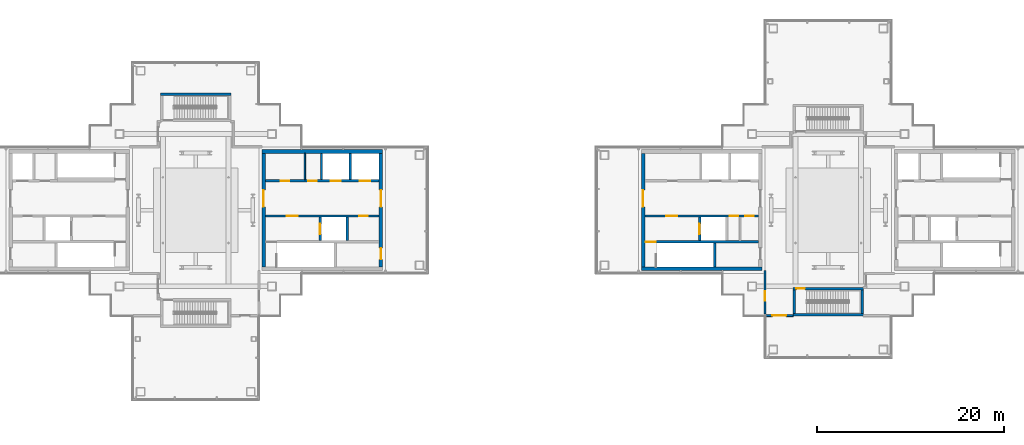
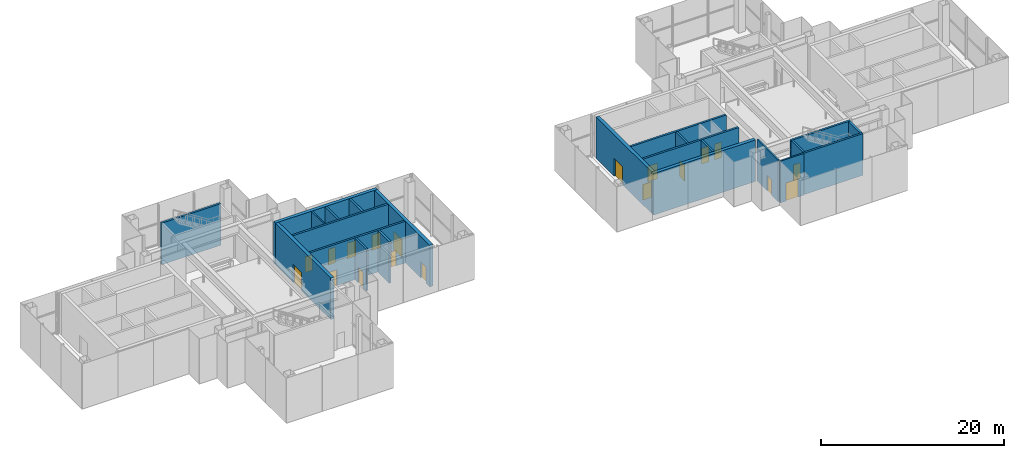
# One storey, part 10 of 17: 23 walls, 19 doors, 19 openings.
"""IFC4 building model written with IfcOpenShell, lengths in metres."""

from ifc_helpers import new_model, si_unit, direction, frame, frame_2d, origin, place, context, subcontext, project, spatial, rectangle, extrude, material, layer, layer_set, type_object, element, fill, save


model = new_model("IFC4")

# Units and contexts
model_context = context("Model", 3, precision=1e-05, world=origin(), true_north=direction((0.0, 1.0)))
body_context = subcontext(model_context, "Body", "Model", "MODEL_VIEW")
ifc_project = project(units=[si_unit("LENGTHUNIT", "METRE"), si_unit("AREAUNIT", "SQUARE_METRE"), si_unit("VOLUMEUNIT", "CUBIC_METRE"), si_unit("PLANEANGLEUNIT", "RADIAN"), si_unit("MASSUNIT", "GRAM", prefix="KILO")], contexts=[model_context])

# Site, building, storey
site_placement = place(None, origin())
site = spatial("IfcSite", under=ifc_project, at=site_placement, CompositionType="ELEMENT")
building_placement = place(site_placement, origin())
building = spatial("IfcBuilding", under=site, at=building_placement, Name="Shamsa Quay Exchange Towers", CompositionType="ELEMENT")
storey_placement = place(building_placement, frame((0.0, 0.0, 278.300048828125)))
storey = spatial("IfcBuildingStorey", under=building, at=storey_placement, Name="L67", CompositionType="ELEMENT", Elevation=278.300048828125)

# Wall
ifc_material_1 = material(Name="Concrete C60/75", Category="concrete")
ifc_layer_1 = layer(ifc_material_1, 0.39990234375)
ifc_layer_set_1 = layer_set([ifc_layer_1], Name="CORE WALL 400 C60/75")
wall_type_1 = type_object("IfcWallType", Name="CORE WALL 400 C60/75", PredefinedType="SHEAR", material=ifc_layer_set_1)
wall_1_placement = place(storey_placement, frame((-26.699951171875, 6.25, 0.0)))
element("IfcWall", 1, at=wall_1_placement, inside=storey, type_object=wall_type_1, Name="Core wall T1A-L67-PN", PredefinedType="SHEAR", context=body_context, shape_type="SweptSolid", body=[
    extrude(rectangle(XDim=12.89990234375, YDim=0.39990234375, at=frame_2d((6.449951171875, 0.0))), origin(), (0.0, 0.0, 1.0), 5.550048828125),
])

# Wall, opening, door
wall_2_placement = place(storey_placement, frame((-26.5, 6.050048828125, 0.0), z_axis=(0.0, 0.0, 1.0), x_axis=(0.0, -1.0, 0.0)))
wall_2 = element("IfcWall", 2, at=wall_2_placement, inside=storey, type_object=wall_type_1, Name="Core wall T1A-L67-PF", PredefinedType="SHEAR", context=body_context, shape_type="SweptSolid", body=[
    extrude(rectangle(XDim=12.10009765625, YDim=0.39990234375, at=frame_2d((6.050048828125, 0.0))), origin(), (0.0, 0.0, 1.0), 5.550048828125),
])
opening_1_placement = place(wall_2_placement, frame((3.89990234375, 0.0, 0.0)))
opening_1 = element("IfcOpeningElement", 3, at=opening_1_placement, cuts=wall_2, Name="Opening T1A-L67-LBD01", PredefinedType="OPENING", context=body_context, shape_type="SweptSolid", body=[
    extrude(rectangle(XDim=1.800048828125, YDim=2.39990234375, at=frame_2d((0.89990234375, 1.199951171875))), frame((0.0, 0.2099609375, 0.0), z_axis=(0.0, -1.0, 0.0), x_axis=(1.0, 0.0, 0.0)), (0.0, 0.0, 1.0), 0.419921875),
])
ifc_material_2 = material(Name="Steel, fire rated", Category="steel")
door_type_1 = type_object("IfcDoorType", Name="LIFT LOBBY DOOR PAIR 1800", OperationType="DOUBLE_DOOR_SINGLE_SWING", PredefinedType="DOOR", material=ifc_material_2)
door_1_placement = place(opening_1_placement, origin())
door_1 = element("IfcDoor", 4, at=door_1_placement, inside=storey, type_object=door_type_1, Name="T1A-L67-LBD01", OperationType="DOUBLE_DOOR_SINGLE_SWING", OverallHeight=2.39990234375, OverallWidth=1.800048828125, PredefinedType="DOOR", context=body_context, shape_type="SweptSolid", body=[
    extrude(rectangle(XDim=1.800048828125, YDim=2.39990234375, at=frame_2d((0.89990234375, 1.199951171875))), frame((0.0, 0.02490234375, 0.0), z_axis=(0.0, -1.0, 0.0), x_axis=(1.0, 0.0, 0.0)), (0.0, 0.0, 1.0), 0.050048828125),
])
fill(opening_1, door_1)

# Wall, openings, doors
wall_3_placement = place(storey_placement, frame((-14.0, 6.050048828125, 0.0), z_axis=(0.0, 0.0, 1.0), x_axis=(0.0, -1.0, 0.0)))
wall_3 = element("IfcWall", 5, at=wall_3_placement, inside=storey, type_object=wall_type_1, Name="Core wall T1A-L67-PB", PredefinedType="SHEAR", context=body_context, shape_type="SweptSolid", body=[
    extrude(rectangle(XDim=12.10009765625, YDim=0.39990234375, at=frame_2d((6.050048828125, 0.0))), origin(), (0.0, 0.0, 1.0), 5.550048828125),
])
opening_2_placement = place(wall_3_placement, frame((10.10009765625, 0.0, 0.0)))
opening_2 = element("IfcOpeningElement", 6, at=opening_2_placement, cuts=wall_3, Name="Opening T1A-L67-RD02", PredefinedType="OPENING", context=body_context, shape_type="SweptSolid", body=[
    extrude(rectangle(XDim=1.199951171875, YDim=2.10009765625, at=frame_2d((0.60009765625, 1.050048828125))), frame((0.0, 0.2099609375, 0.0), z_axis=(0.0, -1.0, 0.0), x_axis=(1.0, 0.0, 0.0)), (0.0, 0.0, 1.0), 0.419921875),
])
opening_3_placement = place(wall_3_placement, frame((3.89990234375, 0.0, 0.0)))
opening_3 = element("IfcOpeningElement", 7, at=opening_3_placement, cuts=wall_3, Name="Opening T1A-L67-LBD03", PredefinedType="OPENING", context=body_context, shape_type="SweptSolid", body=[
    extrude(rectangle(XDim=1.800048828125, YDim=2.39990234375, at=frame_2d((0.89990234375, 1.199951171875))), frame((0.0, 0.2099609375, 0.0), z_axis=(0.0, -1.0, 0.0), x_axis=(1.0, 0.0, 0.0)), (0.0, 0.0, 1.0), 0.419921875),
])
door_2_placement = place(opening_3_placement, origin())
door_2 = element("IfcDoor", 8, at=door_2_placement, inside=storey, type_object=door_type_1, Name="T1A-L67-LBD03", OperationType="DOUBLE_DOOR_SINGLE_SWING", OverallHeight=2.39990234375, OverallWidth=1.800048828125, PredefinedType="DOOR", context=body_context, shape_type="SweptSolid", body=[
    extrude(rectangle(XDim=1.800048828125, YDim=2.39990234375, at=frame_2d((0.89990234375, 1.199951171875))), frame((0.0, 0.02490234375, 0.0), z_axis=(0.0, -1.0, 0.0), x_axis=(1.0, 0.0, 0.0)), (0.0, 0.0, 1.0), 0.050048828125),
])
fill(opening_3, door_2)
door_type_2 = type_object("IfcDoorType", Name="RISER ACCESS DOOR 1200", OperationType="SINGLE_SWING_LEFT", PredefinedType="DOOR", material=ifc_material_2)
door_3_placement = place(opening_2_placement, origin())
door_3 = element("IfcDoor", 9, at=door_3_placement, inside=storey, type_object=door_type_2, Name="T1A-L67-RD02", OperationType="SINGLE_SWING_RIGHT", OverallHeight=2.10009765625, OverallWidth=1.199951171875, PredefinedType="DOOR", context=body_context, shape_type="SweptSolid", body=[
    extrude(rectangle(XDim=1.199951171875, YDim=2.10009765625, at=frame_2d((0.60009765625, 1.050048828125))), frame((0.0, 0.02490234375, 0.0), z_axis=(0.0, -1.0, 0.0), x_axis=(1.0, 0.0, 0.0)), (0.0, 0.0, 1.0), 0.050048828125),
])
fill(opening_2, door_3)

# Wall
wall_4_placement = place(storey_placement, frame((13.800048828125, -6.25, 0.0)))
element("IfcWall", 10, at=wall_4_placement, inside=storey, type_object=wall_type_1, Name="Core wall T2A-L67-PS", PredefinedType="SHEAR", context=body_context, shape_type="SweptSolid", body=[
    extrude(rectangle(XDim=12.89990234375, YDim=0.39990234375, at=frame_2d((6.449951171875, 0.0))), origin(), (0.0, 0.0, 1.0), 5.550048828125),
])

# Wall, opening, door
wall_5_placement = place(storey_placement, frame((14.0, 6.050048828125, 0.0), z_axis=(0.0, 0.0, 1.0), x_axis=(0.0, -1.0, 0.0)))
wall_5 = element("IfcWall", 11, at=wall_5_placement, inside=storey, type_object=wall_type_1, Name="Core wall T2A-L67-PF", PredefinedType="SHEAR", context=body_context, shape_type="SweptSolid", body=[
    extrude(rectangle(XDim=12.10009765625, YDim=0.39990234375, at=frame_2d((6.050048828125, 0.0))), origin(), (0.0, 0.0, 1.0), 5.550048828125),
])
opening_4_placement = place(wall_5_placement, frame((3.89990234375, 0.0, 0.0)))
opening_4 = element("IfcOpeningElement", 12, at=opening_4_placement, cuts=wall_5, Name="Opening T2A-L67-LBD01", PredefinedType="OPENING", context=body_context, shape_type="SweptSolid", body=[
    extrude(rectangle(XDim=1.800048828125, YDim=2.39990234375, at=frame_2d((0.89990234375, 1.199951171875))), frame((0.0, 0.2099609375, 0.0), z_axis=(0.0, -1.0, 0.0), x_axis=(1.0, 0.0, 0.0)), (0.0, 0.0, 1.0), 0.419921875),
])
door_4_placement = place(opening_4_placement, origin())
door_4 = element("IfcDoor", 13, at=door_4_placement, inside=storey, type_object=door_type_1, Name="T2A-L67-LBD01", OperationType="DOUBLE_DOOR_SINGLE_SWING", OverallHeight=2.39990234375, OverallWidth=1.800048828125, PredefinedType="DOOR", context=body_context, shape_type="SweptSolid", body=[
    extrude(rectangle(XDim=1.800048828125, YDim=2.39990234375, at=frame_2d((0.89990234375, 1.199951171875))), frame((0.0, 0.02490234375, 0.0), z_axis=(0.0, -1.0, 0.0), x_axis=(1.0, 0.0, 0.0)), (0.0, 0.0, 1.0), 0.050048828125),
])
fill(opening_4, door_4)

# Wall
ifc_material_3 = material(Name="Gypsum board on steel studs, EI 60", Category="steel")
ifc_layer_2 = layer(ifc_material_3, 0.14990234375)
ifc_layer_set_2 = layer_set([ifc_layer_2], Name="FIRE PARTITION 150")
wall_type_2 = type_object("IfcWallType", Name="FIRE PARTITION 150", PredefinedType="PARTITIONING", material=ifc_layer_set_2)
wall_6_placement = place(storey_placement, frame((-22.10009765625, 3.25, 0.0), z_axis=(0.0, 0.0, 1.0), x_axis=(0.0, 1.0, 0.0)))
element("IfcWall", 14, at=wall_6_placement, inside=storey, type_object=wall_type_2, Name="Partition T1A-L67-FC0", PredefinedType="PARTITIONING", context=body_context, shape_type="SweptSolid", body=[
    extrude(rectangle(XDim=2.800048828125, YDim=0.14990234375, at=frame_2d((1.39990234375, 0.0))), origin(), (0.0, 0.0, 1.0), 5.550048828125),
])

# Wall, opening, door
ifc_material_4 = material(Name="Gypsum board partition on metal studs")
ifc_layer_3 = layer(ifc_material_4, 0.199951171875)
ifc_layer_set_3 = layer_set([ifc_layer_3], Name="Partition 200 mm EI 120")
wall_type_3 = type_object("IfcWallType", Name="Partition 200 mm EI 120", PredefinedType="PARTITIONING", material=ifc_layer_set_3)
wall_7_placement = place(storey_placement, frame((30.0, -11.25, 0.0), z_axis=(0.0, 0.0, 1.0), x_axis=(-1.0, 0.0, 0.0)))
wall_7 = element("IfcWall", 15, at=wall_7_placement, inside=storey, type_object=wall_type_3, Name="Partition T2-L67-W10", PredefinedType="PARTITIONING", context=body_context, shape_type="SweptSolid", body=[
    extrude(rectangle(XDim=3.0048828125, YDim=0.199951171875, at=frame_2d((1.50244140625, 0.0))), origin(), (0.0, 0.0, 1.0), 5.550048828125),
])
opening_5_placement = place(wall_7_placement, frame((0.75, 0.0, 0.0)))
opening_5 = element("IfcOpeningElement", 16, at=opening_5_placement, cuts=wall_7, Name="Opening T2-L67-D03", PredefinedType="OPENING", context=body_context, shape_type="SweptSolid", body=[
    extrude(rectangle(XDim=1.5, YDim=2.39990234375, at=frame_2d((0.75, 1.199951171875))), frame((0.0, 0.10986328125, 0.0), z_axis=(0.0, -1.0, 0.0), x_axis=(1.0, 0.0, 0.0)), (0.0, 0.0, 1.0), 0.219970703125),
])
ifc_material_5 = material(Name="Timber door leaf in a metal frame", Category="wood")
door_type_3 = type_object("IfcDoorType", Name="Door 1500x2400 FD60 pair", OperationType="NOTDEFINED", PredefinedType="DOOR", material=ifc_material_5)
door_5_placement = place(opening_5_placement, origin())
door_5 = element("IfcDoor", 17, at=door_5_placement, inside=storey, type_object=door_type_3, Name="Door T2-L67-D03", OperationType="DOUBLE_DOOR_SINGLE_SWING", OverallHeight=2.39990234375, OverallWidth=1.5, PredefinedType="DOOR", context=body_context, shape_type="SweptSolid", body=[
    extrude(rectangle(XDim=1.5, YDim=2.39990234375, at=frame_2d((0.75, 1.199951171875))), frame((0.0, 0.02490234375, 0.0), z_axis=(0.0, -1.0, 0.0), x_axis=(1.0, 0.0, 0.0)), (0.0, 0.0, 1.0), 0.050048828125),
])
fill(opening_5, door_5)

wall_8_placement = place(storey_placement, frame((27.0, -11.054931640625, 0.0), z_axis=(0.0, 0.0, 1.0), x_axis=(0.0, 1.0, 0.0)))
wall_8 = element("IfcWall", 18, at=wall_8_placement, inside=storey, type_object=wall_type_3, Name="Partition T2-L67-W11", PredefinedType="PARTITIONING", context=body_context, shape_type="SweptSolid", body=[
    extrude(rectangle(XDim=4.60498046875, YDim=0.199951171875, at=frame_2d((2.302490234375, 0.0))), origin(), (0.0, 0.0, 1.0), 5.550048828125),
])
opening_6_placement = place(wall_8_placement, frame((1.405029296875, 0.0, 0.0)))
opening_6 = element("IfcOpeningElement", 19, at=opening_6_placement, cuts=wall_8, Name="Opening T2-L67-D04", PredefinedType="OPENING", context=body_context, shape_type="SweptSolid", body=[
    extrude(rectangle(XDim=1.0, YDim=2.10009765625, at=frame_2d((0.5, 1.050048828125))), frame((0.0, 0.10986328125, 0.0), z_axis=(0.0, -1.0, 0.0), x_axis=(1.0, 0.0, 0.0)), (0.0, 0.0, 1.0), 0.219970703125),
])
door_type_4 = type_object("IfcDoorType", Name="Door 1000x2100 FD60", OperationType="NOTDEFINED", PredefinedType="DOOR", material=ifc_material_5)
door_6_placement = place(opening_6_placement, origin())
door_6 = element("IfcDoor", 20, at=door_6_placement, inside=storey, type_object=door_type_4, Name="Door T2-L67-D04", OperationType="SINGLE_SWING_RIGHT", OverallHeight=2.10009765625, OverallWidth=1.0, PredefinedType="DOOR", context=body_context, shape_type="SweptSolid", body=[
    extrude(rectangle(XDim=1.0, YDim=2.10009765625, at=frame_2d((0.5, 1.050048828125))), frame((0.0, 0.02490234375, 0.0), z_axis=(0.0, -1.0, 0.0), x_axis=(1.0, 0.0, 0.0)), (0.0, 0.0, 1.0), 0.050048828125),
])
fill(opening_6, door_6)

# Wall, openings, doors
ifc_material_6 = material(Name="Concrete C50/60", Category="concrete")
ifc_layer_4 = layer(ifc_material_6, 0.25)
ifc_layer_set_4 = layer_set([ifc_layer_4], Name="SHAFT WALL 250 C50/60")
wall_type_4 = type_object("IfcWallType", Name="SHAFT WALL 250 C50/60", PredefinedType="SHEAR", material=ifc_layer_set_4)
wall_9_placement = place(storey_placement, frame((-14.199951171875, -0.625, 0.0), z_axis=(0.0, 0.0, 1.0), x_axis=(-1.0, 0.0, 0.0)))
wall_9 = element("IfcWall", 21, at=wall_9_placement, inside=storey, type_object=wall_type_4, Name="Shaft wall T1A-L67-B", PredefinedType="SHEAR", context=body_context, shape_type="SweptSolid", body=[
    extrude(rectangle(XDim=12.10009765625, YDim=0.25, at=frame_2d((6.050048828125, 0.0))), origin(), (0.0, 0.0, 1.0), 5.550048828125),
])
opening_7_placement = place(wall_9_placement, frame((8.64990234375, 0.0, 0.0)))
opening_7 = element("IfcOpeningElement", 22, at=opening_7_placement, cuts=wall_9, Name="Opening T1A-L67-FD05", PredefinedType="OPENING", context=body_context, shape_type="SweptSolid", body=[
    extrude(rectangle(XDim=1.199951171875, YDim=2.10009765625, at=frame_2d((0.60009765625, 1.050048828125))), frame((0.0, 0.135009765625, 0.0), z_axis=(0.0, -1.0, 0.0), x_axis=(1.0, 0.0, 0.0)), (0.0, 0.0, 1.0), 0.27001953125),
])
opening_8_placement = place(wall_9_placement, frame((1.175048828125, 0.0, 0.0)))
opening_8 = element("IfcOpeningElement", 23, at=opening_8_placement, cuts=wall_9, Name="Opening T1A-L67-SV06", PredefinedType="OPENING", context=body_context, shape_type="SweptSolid", body=[
    extrude(rectangle(XDim=0.89990234375, YDim=2.10009765625, at=frame_2d((0.449951171875, 1.050048828125))), frame((0.0, 0.135009765625, 0.0), z_axis=(0.0, -1.0, 0.0), x_axis=(1.0, 0.0, 0.0)), (0.0, 0.0, 1.0), 0.27001953125),
])
door_type_5 = type_object("IfcDoorType", Name="FIRE SERVICE LOBBY DOOR 1200", OperationType="SINGLE_SWING_LEFT", PredefinedType="DOOR", material=ifc_material_2)
door_7_placement = place(opening_7_placement, origin())
door_7 = element("IfcDoor", 24, at=door_7_placement, inside=storey, type_object=door_type_5, Name="T1A-L67-FD05", OperationType="SINGLE_SWING_RIGHT", OverallHeight=2.10009765625, OverallWidth=1.199951171875, PredefinedType="DOOR", context=body_context, shape_type="SweptSolid", body=[
    extrude(rectangle(XDim=1.199951171875, YDim=2.10009765625, at=frame_2d((0.60009765625, 1.050048828125))), frame((0.0, 0.02490234375, 0.0), z_axis=(0.0, -1.0, 0.0), x_axis=(1.0, 0.0, 0.0)), (0.0, 0.0, 1.0), 0.050048828125),
])
fill(opening_7, door_7)
door_type_6 = type_object("IfcDoorType", Name="SERVICE ROOM DOOR 900", OperationType="SINGLE_SWING_LEFT", PredefinedType="DOOR", material=ifc_material_2)
door_8_placement = place(opening_8_placement, origin())
door_8 = element("IfcDoor", 25, at=door_8_placement, inside=storey, type_object=door_type_6, Name="T1A-L67-SV06", OperationType="SINGLE_SWING_LEFT", OverallHeight=2.10009765625, OverallWidth=0.89990234375, PredefinedType="DOOR", context=body_context, shape_type="SweptSolid", body=[
    extrude(rectangle(XDim=0.89990234375, YDim=2.10009765625, at=frame_2d((0.449951171875, 1.050048828125))), frame((0.0, 0.02490234375, 0.0), z_axis=(0.0, -1.0, 0.0), x_axis=(1.0, 0.0, 0.0)), (0.0, 0.0, 1.0), 0.050048828125),
])
fill(opening_8, door_8)

# Wall, opening, door
wall_10_placement = place(storey_placement, frame((-20.47509765625, -3.25, 0.0), z_axis=(0.0, 0.0, 1.0), x_axis=(0.0, 1.0, 0.0)))
wall_10 = element("IfcWall", 26, at=wall_10_placement, inside=storey, type_object=wall_type_4, Name="Shaft wall T1A-L67-FFF", PredefinedType="SHEAR", context=body_context, shape_type="SweptSolid", body=[
    extrude(rectangle(XDim=2.5, YDim=0.25, at=frame_2d((1.25, 0.0))), origin(), (0.0, 0.0, 1.0), 5.550048828125),
])
opening_9_placement = place(wall_10_placement, frame((0.699951171875, 0.0, 0.0)))
opening_9 = element("IfcOpeningElement", 27, at=opening_9_placement, cuts=wall_10, Name="Opening T1A-L67-LDF07", PredefinedType="OPENING", context=body_context, shape_type="SweptSolid", body=[
    extrude(rectangle(XDim=1.10009765625, YDim=2.10009765625, at=frame_2d((0.550048828125, 1.050048828125))), frame((0.0, 0.135009765625, 0.0), z_axis=(0.0, -1.0, 0.0), x_axis=(1.0, 0.0, 0.0)), (0.0, 0.0, 1.0), 0.27001953125),
])
door_type_7 = type_object("IfcDoorType", Name="FIRE SERVICE LANDING DOOR 1100", OperationType="SLIDING_TO_LEFT", PredefinedType="DOOR", material=ifc_material_2)
door_9_placement = place(opening_9_placement, origin())
door_9 = element("IfcDoor", 28, at=door_9_placement, inside=storey, type_object=door_type_7, Name="T1A-L67-LDF07", OperationType="SLIDING_TO_LEFT", OverallHeight=2.10009765625, OverallWidth=1.10009765625, PredefinedType="DOOR", context=body_context, shape_type="SweptSolid", body=[
    extrude(rectangle(XDim=1.10009765625, YDim=2.10009765625, at=frame_2d((0.550048828125, 1.050048828125))), frame((0.0, 0.02490234375, 0.0), z_axis=(0.0, -1.0, 0.0), x_axis=(1.0, 0.0, 0.0)), (0.0, 0.0, 1.0), 0.050048828125),
])
fill(opening_9, door_9)

# Wall
wall_11_placement = place(storey_placement, frame((-17.574951171875, -3.25, 0.0), z_axis=(0.0, 0.0, 1.0), x_axis=(0.0, 1.0, 0.0)))
element("IfcWall", 29, at=wall_11_placement, inside=storey, type_object=wall_type_4, Name="Shaft wall T1A-L67-FFB", PredefinedType="SHEAR", context=body_context, shape_type="SweptSolid", body=[
    extrude(rectangle(XDim=2.5, YDim=0.25, at=frame_2d((1.25, 0.0))), origin(), (0.0, 0.0, 1.0), 5.550048828125),
])

# Wall, openings, doors
wall_12_placement = place(storey_placement, frame((-26.300048828125, 3.125, 0.0)))
wall_12 = element("IfcWall", 30, at=wall_12_placement, inside=storey, type_object=wall_type_4, Name="Shaft wall T1A-L67-N", PredefinedType="SHEAR", context=body_context, shape_type="SweptSolid", body=[
    extrude(rectangle(XDim=12.10009765625, YDim=0.25, at=frame_2d((6.050048828125, 0.0))), origin(), (0.0, 0.0, 1.0), 5.550048828125),
])
opening_10_placement = place(wall_12_placement, frame((6.949951171875, 0.0, 0.0)))
opening_10 = element("IfcOpeningElement", 31, at=opening_10_placement, cuts=wall_12, Name="Opening T1A-L67-LD08", PredefinedType="OPENING", context=body_context, shape_type="SweptSolid", body=[
    extrude(rectangle(XDim=1.10009765625, YDim=2.10009765625, at=frame_2d((0.550048828125, 1.050048828125))), frame((0.0, 0.135009765625, 0.0), z_axis=(0.0, -1.0, 0.0), x_axis=(1.0, 0.0, 0.0)), (0.0, 0.0, 1.0), 0.27001953125),
])
opening_11_placement = place(wall_12_placement, frame((10.074951171875, 0.0, 0.0)))
opening_11 = element("IfcOpeningElement", 32, at=opening_11_placement, cuts=wall_12, Name="Opening T1A-L67-LD09", PredefinedType="OPENING", context=body_context, shape_type="SweptSolid", body=[
    extrude(rectangle(XDim=1.10009765625, YDim=2.10009765625, at=frame_2d((0.550048828125, 1.050048828125))), frame((0.0, 0.135009765625, 0.0), z_axis=(0.0, -1.0, 0.0), x_axis=(1.0, 0.0, 0.0)), (0.0, 0.0, 1.0), 0.27001953125),
])
opening_12_placement = place(wall_12_placement, frame((1.64990234375, 0.0, 0.0)))
opening_12 = element("IfcOpeningElement", 33, at=opening_12_placement, cuts=wall_12, Name="Opening T1A-L67-SV10", PredefinedType="OPENING", context=body_context, shape_type="SweptSolid", body=[
    extrude(rectangle(XDim=0.89990234375, YDim=2.10009765625, at=frame_2d((0.449951171875, 1.050048828125))), frame((0.0, 0.135009765625, 0.0), z_axis=(0.0, -1.0, 0.0), x_axis=(1.0, 0.0, 0.0)), (0.0, 0.0, 1.0), 0.27001953125),
])
opening_13_placement = place(wall_12_placement, frame((4.574951171875, 0.0, 0.0)))
opening_13 = element("IfcOpeningElement", 34, at=opening_13_placement, cuts=wall_12, Name="Opening T1A-L67-SV11", PredefinedType="OPENING", context=body_context, shape_type="SweptSolid", body=[
    extrude(rectangle(XDim=0.89990234375, YDim=2.10009765625, at=frame_2d((0.449951171875, 1.050048828125))), frame((0.0, 0.135009765625, 0.0), z_axis=(0.0, -1.0, 0.0), x_axis=(1.0, 0.0, 0.0)), (0.0, 0.0, 1.0), 0.27001953125),
])
door_type_8 = type_object("IfcDoorType", Name="LANDING DOOR 1100", OperationType="SLIDING_TO_LEFT", PredefinedType="DOOR", material=ifc_material_2)
door_10_placement = place(opening_10_placement, origin())
door_10 = element("IfcDoor", 35, at=door_10_placement, inside=storey, type_object=door_type_8, Name="T1A-L67-LD08", OperationType="SLIDING_TO_LEFT", OverallHeight=2.10009765625, OverallWidth=1.10009765625, PredefinedType="DOOR", context=body_context, shape_type="SweptSolid", body=[
    extrude(rectangle(XDim=1.10009765625, YDim=2.10009765625, at=frame_2d((0.550048828125, 1.050048828125))), frame((0.0, 0.02490234375, 0.0), z_axis=(0.0, -1.0, 0.0), x_axis=(1.0, 0.0, 0.0)), (0.0, 0.0, 1.0), 0.050048828125),
])
fill(opening_10, door_10)
door_11_placement = place(opening_11_placement, origin())
door_11 = element("IfcDoor", 36, at=door_11_placement, inside=storey, type_object=door_type_8, Name="T1A-L67-LD09", OperationType="SLIDING_TO_LEFT", OverallHeight=2.10009765625, OverallWidth=1.10009765625, PredefinedType="DOOR", context=body_context, shape_type="SweptSolid", body=[
    extrude(rectangle(XDim=1.10009765625, YDim=2.10009765625, at=frame_2d((0.550048828125, 1.050048828125))), frame((0.0, 0.02490234375, 0.0), z_axis=(0.0, -1.0, 0.0), x_axis=(1.0, 0.0, 0.0)), (0.0, 0.0, 1.0), 0.050048828125),
])
fill(opening_11, door_11)
door_12_placement = place(opening_12_placement, origin())
door_12 = element("IfcDoor", 37, at=door_12_placement, inside=storey, type_object=door_type_6, Name="T1A-L67-SV10", OperationType="SINGLE_SWING_LEFT", OverallHeight=2.10009765625, OverallWidth=0.89990234375, PredefinedType="DOOR", context=body_context, shape_type="SweptSolid", body=[
    extrude(rectangle(XDim=0.89990234375, YDim=2.10009765625, at=frame_2d((0.449951171875, 1.050048828125))), frame((0.0, 0.02490234375, 0.0), z_axis=(0.0, -1.0, 0.0), x_axis=(1.0, 0.0, 0.0)), (0.0, 0.0, 1.0), 0.050048828125),
])
fill(opening_12, door_12)
door_13_placement = place(opening_13_placement, origin())
door_13 = element("IfcDoor", 38, at=door_13_placement, inside=storey, type_object=door_type_6, Name="T1A-L67-SV11", OperationType="SINGLE_SWING_LEFT", OverallHeight=2.10009765625, OverallWidth=0.89990234375, PredefinedType="DOOR", context=body_context, shape_type="SweptSolid", body=[
    extrude(rectangle(XDim=0.89990234375, YDim=2.10009765625, at=frame_2d((0.449951171875, 1.050048828125))), frame((0.0, 0.02490234375, 0.0), z_axis=(0.0, -1.0, 0.0), x_axis=(1.0, 0.0, 0.0)), (0.0, 0.0, 1.0), 0.050048828125),
])
fill(opening_13, door_13)

# Walls
for number, where, z_axis, x_axis, name in (
    (39, (-20.324951171875, 3.25, 0.0), (0.0, 0.0, 1.0), (0.0, 1.0, 0.0), "Shaft wall T1A-L67-D1"),
    (40, (-17.27490234375, 3.25, 0.0), (0.0, 0.0, 1.0), (0.0, 1.0, 0.0), "Shaft wall T1A-L67-D2"),
):
    element("IfcWall", number, at=place(storey_placement, frame(where, z_axis=z_axis, x_axis=x_axis)), inside=storey, type_object=wall_type_4, Name=name, PredefinedType="SHEAR", context=body_context, shape_type="SweptSolid", body=[
        extrude(rectangle(XDim=2.800048828125, YDim=0.25, at=frame_2d((1.39990234375, 0.0))), origin(), (0.0, 0.0, 1.0), 5.550048828125),
    ])

# Wall, opening, door
wall_13_placement = place(storey_placement, frame((26.300048828125, -3.375, 0.0), z_axis=(0.0, 0.0, 1.0), x_axis=(-1.0, 0.0, 0.0)))
wall_13 = element("IfcWall", 41, at=wall_13_placement, inside=storey, type_object=wall_type_4, Name="Shaft wall T2A-L67-STL", PredefinedType="SHEAR", context=body_context, shape_type="SweptSolid", body=[
    extrude(rectangle(XDim=12.10009765625, YDim=0.25, at=frame_2d((6.050048828125, 0.0))), origin(), (0.0, 0.0, 1.0), 5.550048828125),
])
opening_14_placement = place(wall_13_placement, frame((10.949951171875, 0.0, 0.0)))
opening_14 = element("IfcOpeningElement", 42, at=opening_14_placement, cuts=wall_13, Name="Opening T2A-L67-SD04", PredefinedType="OPENING", context=body_context, shape_type="SweptSolid", body=[
    extrude(rectangle(XDim=1.10009765625, YDim=2.10009765625, at=frame_2d((0.550048828125, 1.050048828125))), frame((0.0, 0.135009765625, 0.0), z_axis=(0.0, -1.0, 0.0), x_axis=(1.0, 0.0, 0.0)), (0.0, 0.0, 1.0), 0.27001953125),
])
door_type_9 = type_object("IfcDoorType", Name="STAIR DOOR 1100", OperationType="SINGLE_SWING_LEFT", PredefinedType="DOOR", material=ifc_material_2)
door_14_placement = place(opening_14_placement, origin())
door_14 = element("IfcDoor", 43, at=door_14_placement, inside=storey, type_object=door_type_9, Name="T2A-L67-SD04", OperationType="SINGLE_SWING_RIGHT", OverallHeight=2.10009765625, OverallWidth=1.10009765625, PredefinedType="DOOR", context=body_context, shape_type="SweptSolid", body=[
    extrude(rectangle(XDim=1.10009765625, YDim=2.10009765625, at=frame_2d((0.550048828125, 1.050048828125))), frame((0.0, 0.02490234375, 0.0), z_axis=(0.0, -1.0, 0.0), x_axis=(1.0, 0.0, 0.0)), (0.0, 0.0, 1.0), 0.050048828125),
])
fill(opening_14, door_14)

# Wall
wall_14_placement = place(storey_placement, frame((21.625, -6.050048828125, 0.0), z_axis=(0.0, 0.0, 1.0), x_axis=(0.0, 1.0, 0.0)))
element("IfcWall", 44, at=wall_14_placement, inside=storey, type_object=wall_type_4, Name="Shaft wall T2A-L67-STF", PredefinedType="SHEAR", context=body_context, shape_type="SweptSolid", body=[
    extrude(rectangle(XDim=2.550048828125, YDim=0.25, at=frame_2d((1.27490234375, 0.0))), origin(), (0.0, 0.0, 1.0), 5.550048828125),
])

# Wall, openings, doors
wall_15_placement = place(storey_placement, frame((26.300048828125, -0.625, 0.0), z_axis=(0.0, 0.0, 1.0), x_axis=(-1.0, 0.0, 0.0)))
wall_15 = element("IfcWall", 45, at=wall_15_placement, inside=storey, type_object=wall_type_4, Name="Shaft wall T2A-L67-B", PredefinedType="SHEAR", context=body_context, shape_type="SweptSolid", body=[
    extrude(rectangle(XDim=12.10009765625, YDim=0.25, at=frame_2d((6.050048828125, 0.0))), origin(), (0.0, 0.0, 1.0), 5.550048828125),
])
opening_15_placement = place(wall_15_placement, frame((8.64990234375, 0.0, 0.0)))
opening_15 = element("IfcOpeningElement", 46, at=opening_15_placement, cuts=wall_15, Name="Opening T2A-L67-FD05", PredefinedType="OPENING", context=body_context, shape_type="SweptSolid", body=[
    extrude(rectangle(XDim=1.199951171875, YDim=2.10009765625, at=frame_2d((0.60009765625, 1.050048828125))), frame((0.0, 0.135009765625, 0.0), z_axis=(0.0, -1.0, 0.0), x_axis=(1.0, 0.0, 0.0)), (0.0, 0.0, 1.0), 0.27001953125),
])
opening_16_placement = place(wall_15_placement, frame((2.14990234375, 0.0, 0.0)))
opening_16 = element("IfcOpeningElement", 47, at=opening_16_placement, cuts=wall_15, Name="Opening T2A-L67-SV06", PredefinedType="OPENING", context=body_context, shape_type="SweptSolid", body=[
    extrude(rectangle(XDim=0.89990234375, YDim=2.10009765625, at=frame_2d((0.449951171875, 1.050048828125))), frame((0.0, 0.135009765625, 0.0), z_axis=(0.0, -1.0, 0.0), x_axis=(1.0, 0.0, 0.0)), (0.0, 0.0, 1.0), 0.27001953125),
])
opening_17_placement = place(wall_15_placement, frame((0.52490234375, 0.0, 0.0)))
opening_17 = element("IfcOpeningElement", 48, at=opening_17_placement, cuts=wall_15, Name="Opening T2A-L67-SV07", PredefinedType="OPENING", context=body_context, shape_type="SweptSolid", body=[
    extrude(rectangle(XDim=0.89990234375, YDim=2.10009765625, at=frame_2d((0.449951171875, 1.050048828125))), frame((0.0, 0.135009765625, 0.0), z_axis=(0.0, -1.0, 0.0), x_axis=(1.0, 0.0, 0.0)), (0.0, 0.0, 1.0), 0.27001953125),
])
door_15_placement = place(opening_15_placement, origin())
door_15 = element("IfcDoor", 49, at=door_15_placement, inside=storey, type_object=door_type_5, Name="T2A-L67-FD05", OperationType="SINGLE_SWING_RIGHT", OverallHeight=2.10009765625, OverallWidth=1.199951171875, PredefinedType="DOOR", context=body_context, shape_type="SweptSolid", body=[
    extrude(rectangle(XDim=1.199951171875, YDim=2.10009765625, at=frame_2d((0.60009765625, 1.050048828125))), frame((0.0, 0.02490234375, 0.0), z_axis=(0.0, -1.0, 0.0), x_axis=(1.0, 0.0, 0.0)), (0.0, 0.0, 1.0), 0.050048828125),
])
fill(opening_15, door_15)
door_16_placement = place(opening_16_placement, origin())
door_16 = element("IfcDoor", 50, at=door_16_placement, inside=storey, type_object=door_type_6, Name="T2A-L67-SV06", OperationType="SINGLE_SWING_LEFT", OverallHeight=2.10009765625, OverallWidth=0.89990234375, PredefinedType="DOOR", context=body_context, shape_type="SweptSolid", body=[
    extrude(rectangle(XDim=0.89990234375, YDim=2.10009765625, at=frame_2d((0.449951171875, 1.050048828125))), frame((0.0, 0.02490234375, 0.0), z_axis=(0.0, -1.0, 0.0), x_axis=(1.0, 0.0, 0.0)), (0.0, 0.0, 1.0), 0.050048828125),
])
fill(opening_16, door_16)
door_17_placement = place(opening_17_placement, origin())
door_17 = element("IfcDoor", 51, at=door_17_placement, inside=storey, type_object=door_type_6, Name="T2A-L67-SV07", OperationType="SINGLE_SWING_LEFT", OverallHeight=2.10009765625, OverallWidth=0.89990234375, PredefinedType="DOOR", context=body_context, shape_type="SweptSolid", body=[
    extrude(rectangle(XDim=0.89990234375, YDim=2.10009765625, at=frame_2d((0.449951171875, 1.050048828125))), frame((0.0, 0.02490234375, 0.0), z_axis=(0.0, -1.0, 0.0), x_axis=(1.0, 0.0, 0.0)), (0.0, 0.0, 1.0), 0.050048828125),
])
fill(opening_17, door_17)

# Wall, opening, door
wall_16_placement = place(storey_placement, frame((20.02490234375, -3.25, 0.0), z_axis=(0.0, 0.0, 1.0), x_axis=(0.0, 1.0, 0.0)))
wall_16 = element("IfcWall", 52, at=wall_16_placement, inside=storey, type_object=wall_type_4, Name="Shaft wall T2A-L67-FFF", PredefinedType="SHEAR", context=body_context, shape_type="SweptSolid", body=[
    extrude(rectangle(XDim=2.5, YDim=0.25, at=frame_2d((1.25, 0.0))), origin(), (0.0, 0.0, 1.0), 5.550048828125),
])
opening_18_placement = place(wall_16_placement, frame((0.699951171875, 0.0, 0.0)))
opening_18 = element("IfcOpeningElement", 53, at=opening_18_placement, cuts=wall_16, Name="Opening T2A-L67-LDF08", PredefinedType="OPENING", context=body_context, shape_type="SweptSolid", body=[
    extrude(rectangle(XDim=1.10009765625, YDim=2.10009765625, at=frame_2d((0.550048828125, 1.050048828125))), frame((0.0, 0.135009765625, 0.0), z_axis=(0.0, -1.0, 0.0), x_axis=(1.0, 0.0, 0.0)), (0.0, 0.0, 1.0), 0.27001953125),
])
door_18_placement = place(opening_18_placement, origin())
door_18 = element("IfcDoor", 54, at=door_18_placement, inside=storey, type_object=door_type_7, Name="T2A-L67-LDF08", OperationType="SLIDING_TO_LEFT", OverallHeight=2.10009765625, OverallWidth=1.10009765625, PredefinedType="DOOR", context=body_context, shape_type="SweptSolid", body=[
    extrude(rectangle(XDim=1.10009765625, YDim=2.10009765625, at=frame_2d((0.550048828125, 1.050048828125))), frame((0.0, 0.02490234375, 0.0), z_axis=(0.0, -1.0, 0.0), x_axis=(1.0, 0.0, 0.0)), (0.0, 0.0, 1.0), 0.050048828125),
])
fill(opening_18, door_18)

# Wall
wall_17_placement = place(storey_placement, frame((-37.5, 12.375, 0.0)))
element("IfcWall", 55, at=wall_17_placement, inside=storey, type_object=wall_type_4, Name="Stair enclosure wall RS1 N", PredefinedType="SHEAR", context=body_context, shape_type="SweptSolid", body=[
    extrude(rectangle(XDim=7.5, YDim=0.25, at=frame_2d((3.75, 0.0))), origin(), (0.0, 0.0, 1.0), 5.550048828125),
])

# Wall, opening, door
wall_18_placement = place(storey_placement, frame((30.0, -8.375, 0.0)))
wall_18 = element("IfcWall", 56, at=wall_18_placement, inside=storey, type_object=wall_type_4, Name="Stair enclosure wall RS4 S", PredefinedType="SHEAR", context=body_context, shape_type="SweptSolid", body=[
    extrude(rectangle(XDim=7.5, YDim=0.25, at=frame_2d((3.75, 0.0))), origin(), (0.0, 0.0, 1.0), 5.550048828125),
])
opening_19_placement = place(wall_18_placement, frame((0.35009765625, 0.0, 0.0)))
opening_19 = element("IfcOpeningElement", 57, at=opening_19_placement, cuts=wall_18, Name="Opening RS4-L67-SD01", PredefinedType="OPENING", context=body_context, shape_type="SweptSolid", body=[
    extrude(rectangle(XDim=0.89990234375, YDim=2.10009765625, at=frame_2d((0.449951171875, 1.050048828125))), frame((0.0, 0.135009765625, 0.0), z_axis=(0.0, -1.0, 0.0), x_axis=(1.0, 0.0, 0.0)), (0.0, 0.0, 1.0), 0.27001953125),
])
door_type_10 = type_object("IfcDoorType", Name="ROOF STAIR DOOR 900", OperationType="SINGLE_SWING_LEFT", PredefinedType="DOOR", material=ifc_material_2)
door_19_placement = place(opening_19_placement, origin())
door_19 = element("IfcDoor", 58, at=door_19_placement, inside=storey, type_object=door_type_10, Name="RS4-L67-SD01", OperationType="SINGLE_SWING_LEFT", OverallHeight=2.10009765625, OverallWidth=0.89990234375, PredefinedType="DOOR", context=body_context, shape_type="SweptSolid", body=[
    extrude(rectangle(XDim=0.89990234375, YDim=2.10009765625, at=frame_2d((0.449951171875, 1.050048828125))), frame((0.0, 0.02490234375, 0.0), z_axis=(0.0, -1.0, 0.0), x_axis=(1.0, 0.0, 0.0)), (0.0, 0.0, 1.0), 0.050048828125),
])
fill(opening_19, door_19)

# Walls
wall_19_placement = place(storey_placement, frame((30.0, -11.175048828125, 0.0)))
element("IfcWall", 59, at=wall_19_placement, inside=storey, type_object=wall_type_4, Name="Stair enclosure wall RS4 N", PredefinedType="SHEAR", context=body_context, shape_type="SweptSolid", body=[
    extrude(rectangle(XDim=7.5, YDim=0.25, at=frame_2d((3.75, 0.0))), origin(), (0.0, 0.0, 1.0), 5.550048828125),
])
for number, where, z_axis, x_axis, name in (
    (60, (30.125, -11.050048828125, 0.0), (0.0, 0.0, 1.0), (0.0, 1.0, 0.0), "Stair enclosure wall RS4 W"),
    (61, (37.375, -11.050048828125, 0.0), (0.0, 0.0, 1.0), (0.0, 1.0, 0.0), "Stair enclosure wall RS4 E"),
):
    element("IfcWall", number, at=place(storey_placement, frame(where, z_axis=z_axis, x_axis=x_axis)), inside=storey, type_object=wall_type_4, Name=name, PredefinedType="SHEAR", context=body_context, shape_type="SweptSolid", body=[
        extrude(rectangle(XDim=2.550048828125, YDim=0.25, at=frame_2d((1.27490234375, 0.0))), origin(), (0.0, 0.0, 1.0), 5.550048828125),
    ])

save(model, "model.ifc")
